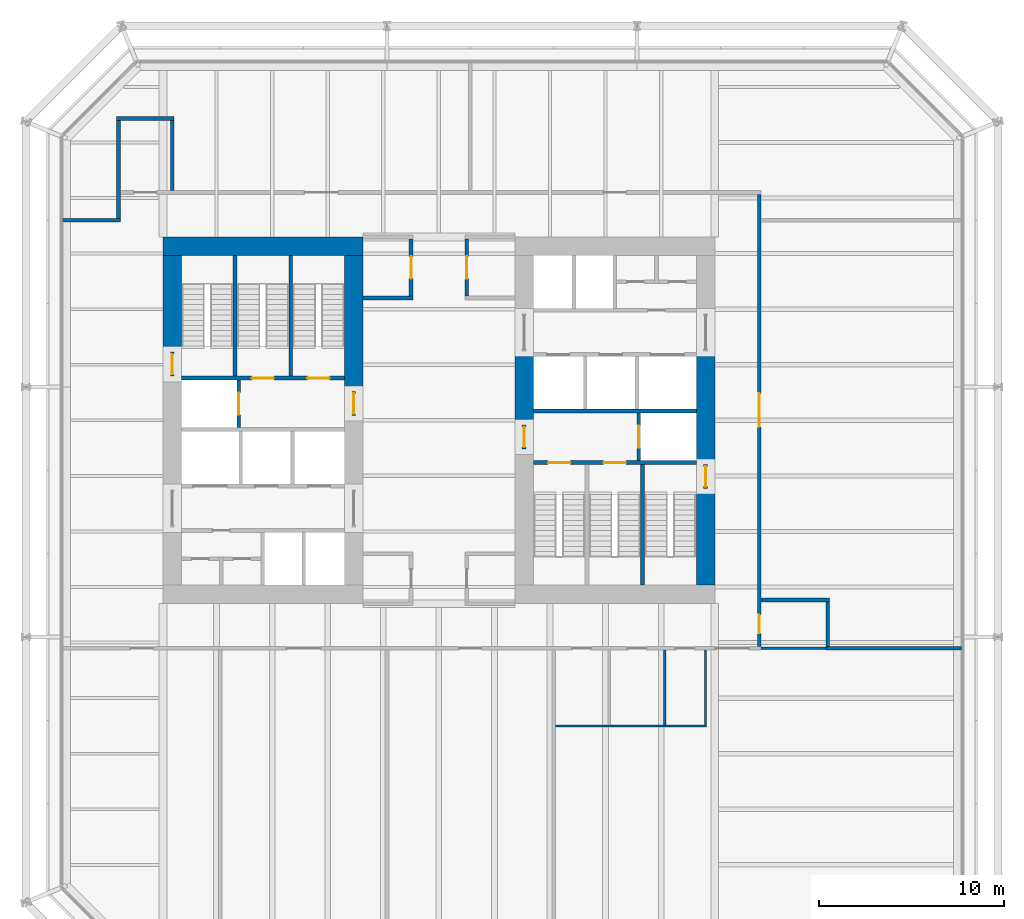
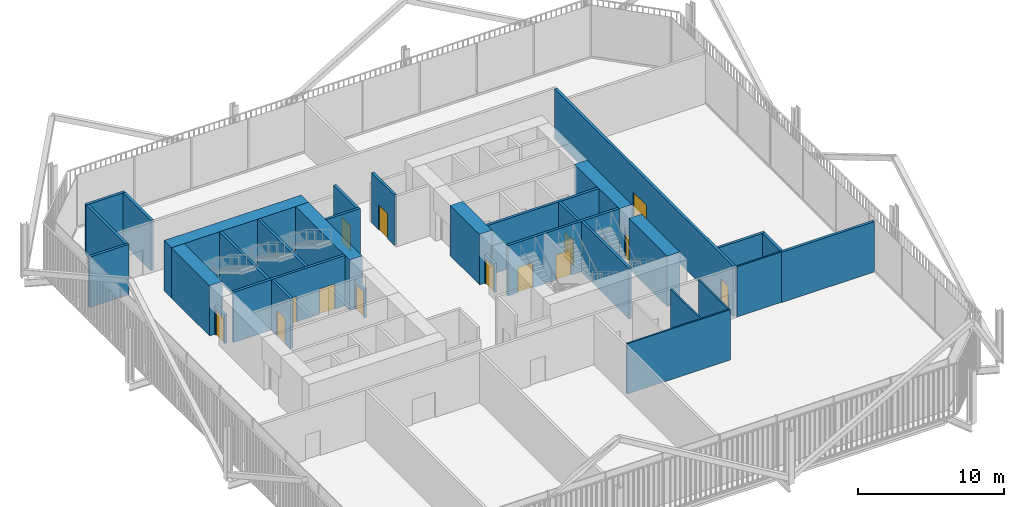
# One storey, part 18 of 21: 33 walls, 14 doors, 14 openings.
"""IFC4 building model written with IfcOpenShell, lengths in metres."""

import ifcopenshell
import ifcopenshell.guid

model = None  # the IFC model being written
_history = None  # IfcOwnerHistory: only IFC2X3 demands one
_inside = {}  # id of a spatial element -> (the spatial element, [elements in it])
_under = {}  # id of a project, library or spatial element -> (it, [spatial elements below it])
_declared = {}  # id of a project -> (the project, [libraries it declares])
_typed = {}  # id of a type object -> (the type object, [elements of that type])
_made_of = {}  # id of a material, layer set ... -> (it, [elements and type objects made of it])


def new_model(schema):
    """Start an empty IFC model of exactly this schema.

    Asked for "IFC4X3", IfcOpenShell would pick the latest addendum, in which some entities
    have other attributes; the version numbers below select the first issue.
    IFC2X3 requires an IfcOwnerHistory on every rooted entity: one is made here for all.
    """
    global model, _history
    if schema == "IFC4X3":
        model = ifcopenshell.file(schema_version=(4, 3, 0, 0))
    else:
        model = ifcopenshell.file(schema=schema)
    _inside.clear()
    _under.clear()
    _declared.clear()
    _typed.clear()
    _made_of.clear()
    _history = None
    if model.schema == "IFC2X3":
        org = make("IfcOrganization", Name="unknown")
        user = make(
            "IfcPersonAndOrganization",
            ThePerson=make("IfcPerson", FamilyName="unknown"),
            TheOrganization=org,
        )
        app = make(
            "IfcApplication",
            ApplicationDeveloper=org,
            Version="unknown",
            ApplicationFullName="unknown",
            ApplicationIdentifier="unknown",
        )
        _history = make(
            "IfcOwnerHistory",
            OwningUser=user,
            OwningApplication=app,
            ChangeAction="ADDED",
            CreationDate=0,
        )
    return model


def make(cls, **values):
    """One entity of the class cls with the attributes given. An attribute that is None is left unset."""
    return model.create_entity(
        cls, **{name: value for name, value in values.items() if value is not None}
    )


def rooted(cls, **values):
    """An entity with a GlobalId (a new one), such as an element, a storey or a relation."""
    return make(cls, GlobalId=ifcopenshell.guid.new(), OwnerHistory=_history, **values)


def si_unit(unit_type, name, prefix=None):
    """IfcSIUnit, for example si_unit("LENGTHUNIT", "METRE", prefix="MILLI")."""
    return make("IfcSIUnit", UnitType=unit_type, Prefix=prefix, Name=name)


def assignment(units):
    """IfcUnitAssignment: the units of a project."""
    return None if units is None else make("IfcUnitAssignment", Units=units)


def point(xyz):
    """IfcCartesianPoint."""
    return None if xyz is None else make("IfcCartesianPoint", Coordinates=xyz)


def direction(xyz):
    """IfcDirection."""
    return None if xyz is None else make("IfcDirection", DirectionRatios=xyz)


def frame(location, z_axis=None, x_axis=None):
    """IfcAxis2Placement3D, a coordinate frame: its origin and axes. An axis left out is left unset."""
    return make(
        "IfcAxis2Placement3D",
        Location=point(location),
        Axis=direction(z_axis),
        RefDirection=direction(x_axis),
    )


def frame_2d(location, x_axis=None):
    """IfcAxis2Placement2D, a coordinate frame in the plane: its origin and x axis."""
    return make(
        "IfcAxis2Placement2D", Location=point(location), RefDirection=direction(x_axis)
    )


def origin():
    """The frame at (0, 0, 0) with its axes left unset."""
    return frame((0.0, 0.0, 0.0))


def place(relative_to, where):
    """IfcLocalPlacement: puts the frame where relative to a parent placement (None: the world)."""
    return make(
        "IfcLocalPlacement", PlacementRelTo=relative_to, RelativePlacement=where
    )


def context(
    kind, dimensions, precision=None, world=None, true_north=None, identifier=None
):
    """IfcGeometricRepresentationContext, for example the 3D "Model" context."""
    return make(
        "IfcGeometricRepresentationContext",
        ContextIdentifier=identifier,
        ContextType=kind,
        CoordinateSpaceDimension=dimensions,
        Precision=precision,
        WorldCoordinateSystem=world,
        TrueNorth=true_north,
    )


def subcontext(parent, identifier, kind, view, scale=None):
    """IfcGeometricRepresentationSubContext, for example "Body" below "Model"."""
    return make(
        "IfcGeometricRepresentationSubContext",
        ContextIdentifier=identifier,
        ContextType=kind,
        ParentContext=parent,
        TargetScale=scale,
        TargetView=view,
    )


def project(units=None, contexts=None):
    """IfcProject with its units and contexts."""
    return rooted(
        "IfcProject",
        Name="project",
        RepresentationContexts=contexts,
        UnitsInContext=assignment(units),
    )


def spatial(cls, under=None, at=None, **own):
    """A site, building, storey or space (cls), placed at a placement, below another one or the project."""
    s = rooted(cls, ObjectPlacement=at, **own)
    if under is not None:
        _under.setdefault(under.id(), (under, []))[1].append(s)
    return s


def profile(cls, at=None, kind="AREA", **sizes):
    """A parametric profile (cls). Its sizes go by their IFC names, for example OverallWidth=200.0."""
    return make(cls, ProfileType=kind, Position=at, **sizes)


def rectangle(**sizes):
    """IfcRectangleProfileDef."""
    return profile("IfcRectangleProfileDef", **sizes)


def extrude(swept, where, along, depth):
    """IfcExtrudedAreaSolid: the profile swept, set in the frame where, extruded along a direction by depth."""
    return make(
        "IfcExtrudedAreaSolid",
        SweptArea=swept,
        Position=where,
        ExtrudedDirection=direction(along),
        Depth=depth,
    )


def shape(context_of_items, identifier, shape_type, items):
    """IfcShapeRepresentation: the items that make up one representation, for example the "Body"."""
    return make(
        "IfcShapeRepresentation",
        ContextOfItems=context_of_items,
        RepresentationIdentifier=identifier,
        RepresentationType=shape_type,
        Items=items,
    )


def material(Name=None, Category=None):
    """IfcMaterial."""
    return make("IfcMaterial", Name=Name, Category=Category)


def layer(
    of_material, thickness, ventilated=None, Name=None, Category=None, Priority=None
):
    """IfcMaterialLayer: one layer of a wall or slab, of a material (None: an air gap)."""
    return make(
        "IfcMaterialLayer",
        Material=of_material,
        LayerThickness=thickness,
        IsVentilated=ventilated,
        Name=Name,
        Category=Category,
        Priority=Priority,
    )


def layer_set(layers, Name=None):
    """IfcMaterialLayerSet."""
    return make("IfcMaterialLayerSet", MaterialLayers=layers, LayerSetName=Name)


def made_of(thing, what):
    """Note that an element or type object is made of a material, layer set ...; save() writes the relation."""
    if what is not None:
        _made_of.setdefault(what.id(), (what, []))[1].append(thing)
    return thing


def type_object(cls, material=None, **own):
    """A type object (cls), such as IfcWallType, which elements share."""
    return made_of(rooted(cls, **own), material)


def element(
    cls,
    number,
    at=None,
    inside=None,
    cuts=None,
    type_object=None,
    material=None,
    context=None,
    identifier="Body",
    shape_type=None,
    held_by="IfcProductDefinitionShape",
    body=None,
    shapes=None,
    **own,
):
    """One element of the class cls, such as IfcWall. Its Tag is "e" and its number.

    at: its placement. inside: the storey or other place that contains it. cuts: it is an
    opening in that element (IfcRelVoidsElement). A single representation is given by context,
    identifier, shape_type and body (its items); several are given by shapes. held_by: the class
    of the entity that holds the representations. save() writes the other relations.
    """
    e = rooted(cls, Tag="e%d" % number, ObjectPlacement=at, **own)
    if body is not None:
        shapes = [shape(context, identifier, shape_type, body)]
    if shapes is not None:
        e.Representation = make(held_by, Representations=shapes)
    if inside is not None:
        _inside.setdefault(inside.id(), (inside, []))[1].append(e)
    if cuts is not None:
        rooted(
            "IfcRelVoidsElement", RelatingBuildingElement=cuts, RelatedOpeningElement=e
        )
    if type_object is not None:
        _typed.setdefault(type_object.id(), (type_object, []))[1].append(e)
    return made_of(e, material)


def fill(opening, filler):
    """IfcRelFillsElement: the door or window that sits in an opening."""
    return rooted(
        "IfcRelFillsElement",
        RelatingOpeningElement=opening,
        RelatedBuildingElement=filler,
    )


def aggregate(whole, parts):
    """IfcRelAggregates: a whole, such as a stair, and the parts it consists of."""
    return rooted("IfcRelAggregates", RelatingObject=whole, RelatedObjects=parts)


def save(model, path):
    """Write the relations noted so far, then the file.

    IfcRelAggregates (storeys below a building ...), IfcRelContainedInSpatialStructure (elements
    in a storey), IfcRelDefinesByType, IfcRelAssociatesMaterial and IfcRelDeclares: one each for
    every whole, place, type object, material and project.
    """
    for whole, parts in _under.values():
        aggregate(whole, parts)
    for where, things in _inside.values():
        rooted(
            "IfcRelContainedInSpatialStructure",
            RelatedElements=things,
            RelatingStructure=where,
        )
    for kind, things in _typed.values():
        rooted("IfcRelDefinesByType", RelatedObjects=things, RelatingType=kind)
    for what, things in _made_of.values():
        rooted("IfcRelAssociatesMaterial", RelatedObjects=things, RelatingMaterial=what)
    for by, libraries in _declared.values():
        rooted("IfcRelDeclares", RelatingContext=by, RelatedDefinitions=libraries)
    model.write(path)


model = new_model("IFC4")

# Units and contexts
model_context = context("Model", 3, precision=1e-05, world=origin(), true_north=direction((0.0, 1.0)))
body_context = subcontext(model_context, "Body", "Model", "MODEL_VIEW")
ifc_project = project(units=[si_unit("LENGTHUNIT", "METRE"), si_unit("AREAUNIT", "SQUARE_METRE"), si_unit("VOLUMEUNIT", "CUBIC_METRE"), si_unit("PLANEANGLEUNIT", "RADIAN"), si_unit("MASSUNIT", "GRAM", prefix="KILO")], contexts=[model_context])

# Site, building, storey
site_placement = place(None, origin())
site = spatial("IfcSite", under=ifc_project, at=site_placement, CompositionType="ELEMENT")
building_placement = place(site_placement, origin())
building = spatial("IfcBuilding", under=site, at=building_placement, Name="Millrace Tower", CompositionType="ELEMENT")
storey_placement = place(building_placement, frame((0.0, 0.0, 104.0)))
storey = spatial("IfcBuildingStorey", under=building, at=storey_placement, Name="L23", CompositionType="ELEMENT", Elevation=104.0)

# Walls
ifc_material_1 = material(Name="Concrete C80", Category="concrete")
ifc_layer_1 = layer(ifc_material_1, 1.0)
ifc_layer_set_1 = layer_set([ifc_layer_1], Name="Concrete C80")
wall_type_1 = type_object("IfcWallType", Name="Core wall 1000 Concrete C80", PredefinedType="SHEAR", material=ifc_layer_set_1)
wall_1_placement = place(storey_placement, frame((-14.89990234375, 9.39990234375, 0.0), z_axis=(0.0, 0.0, 1.0), x_axis=(1.0, 0.0, 0.0)))
element("IfcWall", 1, at=wall_1_placement, inside=storey, type_object=wall_type_1, Name="Core wall W L23", PredefinedType="SHEAR", context=body_context, shape_type="SweptSolid", body=[
    extrude(rectangle(XDim=10.7998046875, YDim=1.0, at=frame_2d((5.39990234375, 0.0))), origin(), (0.0, 0.0, 1.0), 4.199951171875),
])
wall_2_placement = place(storey_placement, frame((-14.39990234375, 3.679931640625, 0.0), z_axis=(0.0, 0.0, 1.0), x_axis=(0.0, 1.0, 0.0)))
element("IfcWall", 2, at=wall_2_placement, inside=storey, type_object=wall_type_1, Name="Core wall W L23", PredefinedType="SHEAR", context=body_context, shape_type="SweptSolid", body=[
    extrude(rectangle(XDim=5.219970703125, YDim=1.0, at=frame_2d((2.60986328125, 0.0))), origin(), (0.0, 0.0, 1.0), 4.199951171875),
])
wall_3_placement = place(storey_placement, frame((-4.60009765625, 1.550048828125, 0.0), z_axis=(0.0, 0.0, 1.0), x_axis=(0.0, 1.0, 0.0)))
element("IfcWall", 3, at=wall_3_placement, inside=storey, type_object=wall_type_1, Name="Core wall W L23", PredefinedType="SHEAR", context=body_context, shape_type="SweptSolid", body=[
    extrude(rectangle(XDim=7.349853515625, YDim=1.0, at=frame_2d((3.6748046875, 0.0))), origin(), (0.0, 0.0, 1.0), 4.199951171875),
])
wall_4_placement = place(storey_placement, frame((14.39990234375, 3.75, 0.0), z_axis=(0.0, 0.0, 1.0), x_axis=(0.0, -1.0, 0.0)))
element("IfcWall", 4, at=wall_4_placement, inside=storey, type_object=wall_type_1, Name="Core wall E L23", PredefinedType="SHEAR", context=body_context, shape_type="SweptSolid", body=[
    extrude(rectangle(XDim=6.1298828125, YDim=1.0, at=frame_2d((3.06494140625, 0.0))), origin(), (0.0, 0.0, 1.0), 4.199951171875),
])
wall_5_placement = place(storey_placement, frame((14.39990234375, -3.679931640625, 0.0), z_axis=(0.0, 0.0, 1.0), x_axis=(0.0, -1.0, 0.0)))
element("IfcWall", 5, at=wall_5_placement, inside=storey, type_object=wall_type_1, Name="Core wall E L23", PredefinedType="SHEAR", context=body_context, shape_type="SweptSolid", body=[
    extrude(rectangle(XDim=5.219970703125, YDim=1.0, at=frame_2d((2.60986328125, 0.0))), origin(), (0.0, 0.0, 1.0), 4.199951171875),
])
wall_6_placement = place(storey_placement, frame((4.60009765625, 3.75, 0.0), z_axis=(0.0, 0.0, 1.0), x_axis=(0.0, -1.0, 0.0)))
element("IfcWall", 6, at=wall_6_placement, inside=storey, type_object=wall_type_1, Name="Core wall E L23", PredefinedType="SHEAR", context=body_context, shape_type="SweptSolid", body=[
    extrude(rectangle(XDim=4.0, YDim=1.0, at=frame_2d((2.0, 0.0))), origin(), (0.0, 0.0, 1.0), 4.199951171875),
])
ifc_material_2 = material(Name="Masonry partition, fire-rated", Category="masonry")
ifc_layer_2 = layer(ifc_material_2, 0.199951171875)
ifc_layer_set_2 = layer_set([ifc_layer_2], Name="Masonry partition, fire-rated")
wall_type_2 = type_object("IfcWallType", Name="Corridor wall 200", PredefinedType="PARTITIONING", material=ifc_layer_set_2)
wall_7_placement = place(storey_placement, frame((20.89990234375, -12.300048828125, 0.0), z_axis=(0.0, 0.0, 1.0), x_axis=(1.0, 0.0, 0.0)))
element("IfcWall", 7, at=wall_7_placement, inside=storey, type_object=wall_type_2, Name="Corridor wall L23", PredefinedType="PARTITIONING", context=body_context, shape_type="SweptSolid", body=[
    extrude(rectangle(XDim=7.330078125, YDim=0.199951171875, at=frame_2d((3.6650390625, 0.0))), origin(), (0.0, 0.0, 1.0), 4.199951171875),
])
wall_8_placement = place(storey_placement, frame((17.39990234375, -9.699951171875, 0.0), z_axis=(0.0, 0.0, 1.0), x_axis=(1.0, 0.0, 0.0)))
element("IfcWall", 8, at=wall_8_placement, inside=storey, type_object=wall_type_2, Name="Corridor wall L23", PredefinedType="PARTITIONING", context=body_context, shape_type="SweptSolid", body=[
    extrude(rectangle(XDim=3.7001953125, YDim=0.199951171875, at=frame_2d((1.85009765625, 0.0))), origin(), (0.0, 0.0, 1.0), 4.199951171875),
])
wall_9_placement = place(storey_placement, frame((-4.10009765625, 6.60009765625, 0.0), z_axis=(0.0, 0.0, 1.0), x_axis=(1.0, 0.0, 0.0)))
element("IfcWall", 9, at=wall_9_placement, inside=storey, type_object=wall_type_2, Name="Corridor wall L23", PredefinedType="PARTITIONING", context=body_context, shape_type="SweptSolid", body=[
    extrude(rectangle(XDim=2.7001953125, YDim=0.199951171875, at=frame_2d((1.35009765625, 0.0))), origin(), (0.0, 0.0, 1.0), 4.199951171875),
])
wall_10_placement = place(storey_placement, frame((-20.330078125, 10.800048828125, 0.0), z_axis=(0.0, 0.0, 1.0), x_axis=(1.0, 0.0, 0.0)))
element("IfcWall", 10, at=wall_10_placement, inside=storey, type_object=wall_type_2, Name="Corridor wall L23", PredefinedType="PARTITIONING", context=body_context, shape_type="SweptSolid", body=[
    extrude(rectangle(XDim=3.130126953125, YDim=0.199951171875, at=frame_2d((1.56494140625, 0.0))), origin(), (0.0, 0.0, 1.0), 4.199951171875),
])
wall_11_placement = place(storey_placement, frame((-17.39990234375, 16.300048828125, 0.0), z_axis=(0.0, 0.0, 1.0), x_axis=(1.0, 0.0, 0.0)))
element("IfcWall", 11, at=wall_11_placement, inside=storey, type_object=wall_type_2, Name="Corridor wall L23", PredefinedType="PARTITIONING", context=body_context, shape_type="SweptSolid", body=[
    extrude(rectangle(XDim=3.099853515625, YDim=0.199951171875, at=frame_2d((1.5498046875, 0.0))), origin(), (0.0, 0.0, 1.0), 4.199951171875),
])
wall_12_placement = place(storey_placement, frame((21.0, -12.199951171875, 0.0), z_axis=(0.0, 0.0, 1.0), x_axis=(0.0, 1.0, 0.0)))
element("IfcWall", 12, at=wall_12_placement, inside=storey, type_object=wall_type_2, Name="Corridor wall L23", PredefinedType="PARTITIONING", context=body_context, shape_type="SweptSolid", body=[
    extrude(rectangle(XDim=2.39990234375, YDim=0.199951171875, at=frame_2d((1.199951171875, 0.0))), origin(), (0.0, 0.0, 1.0), 4.199951171875),
])

# Wall, openings, doors
wall_13_placement = place(storey_placement, frame((17.300048828125, -12.199951171875, 0.0), z_axis=(0.0, 0.0, 1.0), x_axis=(0.0, 1.0, 0.0)))
wall_13 = element("IfcWall", 13, at=wall_13_placement, inside=storey, type_object=wall_type_2, Name="Corridor wall L23", PredefinedType="PARTITIONING", context=body_context, shape_type="SweptSolid", body=[
    extrude(rectangle(XDim=24.39990234375, YDim=0.199951171875, at=frame_2d((12.199951171875, 0.0))), origin(), (0.0, 0.0, 1.0), 4.199951171875),
])
opening_1_placement = place(wall_13_placement, frame((11.85009765625, 0.0, 0.0)))
opening_1 = element("IfcOpeningElement", 14, at=opening_1_placement, cuts=wall_13, Name="Opening 23-P015", PredefinedType="OPENING", context=body_context, shape_type="SweptSolid", body=[
    extrude(rectangle(XDim=1.800048828125, YDim=2.10009765625, at=frame_2d((0.89990234375, 1.050048828125))), frame((0.0, 0.10986328125, 0.0), z_axis=(0.0, -1.0, 0.0), x_axis=(1.0, 0.0, 0.0)), (0.0, 0.0, 1.0), 0.219970703125),
])
opening_2_placement = place(wall_13_placement, frame((0.699951171875, 0.0, 0.0)))
opening_2 = element("IfcOpeningElement", 15, at=opening_2_placement, cuts=wall_13, Name="Opening 23-P016", PredefinedType="OPENING", context=body_context, shape_type="SweptSolid", body=[
    extrude(rectangle(XDim=1.0, YDim=2.10009765625, at=frame_2d((0.5, 1.050048828125))), frame((0.0, 0.10986328125, 0.0), z_axis=(0.0, -1.0, 0.0), x_axis=(1.0, 0.0, 0.0)), (0.0, 0.0, 1.0), 0.219970703125),
])
ifc_material_3 = material(Name="Steel door set, fire-rated", Category="steel")
door_type_1 = type_object("IfcDoorType", Name="Corridor door 1000 x 2100", OperationType="SINGLE_SWING_LEFT", PredefinedType="DOOR", material=ifc_material_3)
door_1_placement = place(opening_2_placement, frame((1.0, 0.0, 0.0), z_axis=(0.0, 0.0, 1.0), x_axis=(-1.0, 0.0, 0.0)))
door_1 = element("IfcDoor", 16, at=door_1_placement, inside=storey, type_object=door_type_1, Name="Door 23-P016", OperationType="SINGLE_SWING_RIGHT", OverallHeight=2.10009765625, OverallWidth=1.0, PredefinedType="DOOR", context=body_context, shape_type="SweptSolid", body=[
    extrude(rectangle(XDim=1.0, YDim=2.10009765625, at=frame_2d((0.5, 1.050048828125))), frame((0.0, 0.02490234375, 0.0), z_axis=(0.0, -1.0, 0.0), x_axis=(1.0, 0.0, 0.0)), (0.0, 0.0, 1.0), 0.050048828125),
])
fill(opening_2, door_1)
ifc_material_4 = material(Name="Steel door set, fire-rated", Category="steel")
door_type_2 = type_object("IfcDoorType", Name="Data hall door 1800 x 2100", OperationType="DOUBLE_DOOR_SINGLE_SWING", PredefinedType="DOOR", material=ifc_material_4)
door_2_placement = place(opening_1_placement, frame((1.800048828125, 0.0, 0.0), z_axis=(0.0, 0.0, 1.0), x_axis=(-1.0, 0.0, 0.0)))
door_2 = element("IfcDoor", 17, at=door_2_placement, inside=storey, type_object=door_type_2, Name="Door 23-P015", OperationType="DOUBLE_DOOR_SINGLE_SWING", OverallHeight=2.10009765625, OverallWidth=1.800048828125, PredefinedType="DOOR", context=body_context, shape_type="SweptSolid", body=[
    extrude(rectangle(XDim=1.800048828125, YDim=2.10009765625, at=frame_2d((0.89990234375, 1.050048828125))), frame((0.0, 0.02490234375, 0.0), z_axis=(0.0, -1.0, 0.0), x_axis=(1.0, 0.0, 0.0)), (0.0, 0.0, 1.0), 0.050048828125),
])
fill(opening_1, door_2)

# Wall, opening, door
wall_14_placement = place(storey_placement, frame((1.5, 6.699951171875, 0.0), z_axis=(0.0, 0.0, 1.0), x_axis=(0.0, 1.0, 0.0)))
wall_14 = element("IfcWall", 18, at=wall_14_placement, inside=storey, type_object=wall_type_2, Name="Corridor wall L23", PredefinedType="PARTITIONING", context=body_context, shape_type="SweptSolid", body=[
    extrude(rectangle(XDim=3.10009765625, YDim=0.199951171875, at=frame_2d((1.550048828125, 0.0))), origin(), (0.0, 0.0, 1.0), 4.199951171875),
])
opening_3_placement = place(wall_14_placement, frame((0.949951171875, 0.0, 0.0)))
opening_3 = element("IfcOpeningElement", 19, at=opening_3_placement, cuts=wall_14, Name="Opening 23-P002", PredefinedType="OPENING", context=body_context, shape_type="SweptSolid", body=[
    extrude(rectangle(XDim=1.199951171875, YDim=2.10009765625, at=frame_2d((0.60009765625, 1.050048828125))), frame((0.0, 0.10986328125, 0.0), z_axis=(0.0, -1.0, 0.0), x_axis=(1.0, 0.0, 0.0)), (0.0, 0.0, 1.0), 0.219970703125),
])
ifc_material_5 = material(Name="Steel door set, fire-rated", Category="steel")
door_type_3 = type_object("IfcDoorType", Name="Corridor door 1200 x 2100", OperationType="SINGLE_SWING_LEFT", PredefinedType="DOOR", material=ifc_material_5)
door_3_placement = place(opening_3_placement, frame((1.199951171875, 0.0, 0.0), z_axis=(0.0, 0.0, 1.0), x_axis=(-1.0, 0.0, 0.0)))
door_3 = element("IfcDoor", 20, at=door_3_placement, inside=storey, type_object=door_type_3, Name="Door 23-P002", OperationType="SINGLE_SWING_RIGHT", OverallHeight=2.10009765625, OverallWidth=1.199951171875, PredefinedType="DOOR", context=body_context, shape_type="SweptSolid", body=[
    extrude(rectangle(XDim=1.199951171875, YDim=2.10009765625, at=frame_2d((0.60009765625, 1.050048828125))), frame((0.0, 0.02490234375, 0.0), z_axis=(0.0, -1.0, 0.0), x_axis=(1.0, 0.0, 0.0)), (0.0, 0.0, 1.0), 0.050048828125),
])
fill(opening_3, door_3)

wall_15_placement = place(storey_placement, frame((-1.5, 6.699951171875, 0.0), z_axis=(0.0, 0.0, 1.0), x_axis=(0.0, 1.0, 0.0)))
wall_15 = element("IfcWall", 21, at=wall_15_placement, inside=storey, type_object=wall_type_2, Name="Corridor wall L23", PredefinedType="PARTITIONING", context=body_context, shape_type="SweptSolid", body=[
    extrude(rectangle(XDim=3.10009765625, YDim=0.199951171875, at=frame_2d((1.550048828125, 0.0))), origin(), (0.0, 0.0, 1.0), 4.199951171875),
])
opening_4_placement = place(wall_15_placement, frame((0.949951171875, 0.0, 0.0)))
opening_4 = element("IfcOpeningElement", 22, at=opening_4_placement, cuts=wall_15, Name="Opening 23-P001", PredefinedType="OPENING", context=body_context, shape_type="SweptSolid", body=[
    extrude(rectangle(XDim=1.199951171875, YDim=2.10009765625, at=frame_2d((0.60009765625, 1.050048828125))), frame((0.0, 0.10986328125, 0.0), z_axis=(0.0, -1.0, 0.0), x_axis=(1.0, 0.0, 0.0)), (0.0, 0.0, 1.0), 0.219970703125),
])
door_4_placement = place(opening_4_placement, origin())
door_4 = element("IfcDoor", 23, at=door_4_placement, inside=storey, type_object=door_type_3, Name="Door 23-P001", OperationType="SINGLE_SWING_LEFT", OverallHeight=2.10009765625, OverallWidth=1.199951171875, PredefinedType="DOOR", context=body_context, shape_type="SweptSolid", body=[
    extrude(rectangle(XDim=1.199951171875, YDim=2.10009765625, at=frame_2d((0.60009765625, 1.050048828125))), frame((0.0, 0.02490234375, 0.0), z_axis=(0.0, -1.0, 0.0), x_axis=(1.0, 0.0, 0.0)), (0.0, 0.0, 1.0), 0.050048828125),
])
fill(opening_4, door_4)

# Walls
wall_16_placement = place(storey_placement, frame((-14.39990234375, 12.39990234375, 0.0), z_axis=(0.0, 0.0, 1.0), x_axis=(0.0, 1.0, 0.0)))
element("IfcWall", 24, at=wall_16_placement, inside=storey, type_object=wall_type_2, Name="Corridor wall L23", PredefinedType="PARTITIONING", context=body_context, shape_type="SweptSolid", body=[
    extrude(rectangle(XDim=3.800048828125, YDim=0.199951171875, at=frame_2d((1.89990234375, 0.0))), origin(), (0.0, 0.0, 1.0), 4.199951171875),
])
wall_17_placement = place(storey_placement, frame((-17.300048828125, 10.89990234375, 0.0), z_axis=(0.0, 0.0, 1.0), x_axis=(0.0, 1.0, 0.0)))
element("IfcWall", 25, at=wall_17_placement, inside=storey, type_object=wall_type_2, Name="Corridor wall L23", PredefinedType="PARTITIONING", context=body_context, shape_type="SweptSolid", body=[
    extrude(rectangle(XDim=5.300048828125, YDim=0.199951171875, at=frame_2d((2.64990234375, 0.0))), origin(), (0.0, 0.0, 1.0), 4.199951171875),
])

# Wall, opening, door
ifc_material_6 = material(Name="Masonry partition, fire-rated", Category="masonry")
ifc_layer_3 = layer(ifc_material_6, 0.199951171875)
ifc_layer_set_3 = layer_set([ifc_layer_3], Name="Masonry partition, fire-rated")
wall_type_3 = type_object("IfcWallType", Name="Lift shaft wall 200", PredefinedType="PARTITIONING", material=ifc_layer_set_3)
wall_18_placement = place(storey_placement, frame((-10.800048828125, -0.39990234375, 0.0), z_axis=(0.0, 0.0, 1.0), x_axis=(0.0, 1.0, 0.0)))
wall_18 = element("IfcWall", 26, at=wall_18_placement, inside=storey, type_object=wall_type_3, Name="Lift shaft wall W L23", PredefinedType="PARTITIONING", context=body_context, shape_type="SweptSolid", body=[
    extrude(rectangle(XDim=2.579833984375, YDim=0.199951171875, at=frame_2d((1.2900390625, 0.0))), origin(), (0.0, 0.0, 1.0), 4.199951171875),
])
opening_5_placement = place(wall_18_placement, frame((0.68994140625, 0.0, 0.0)))
opening_5 = element("IfcOpeningElement", 27, at=opening_5_placement, cuts=wall_18, Name="Opening 23-LD08", PredefinedType="OPENING", context=body_context, shape_type="SweptSolid", body=[
    extrude(rectangle(XDim=1.199951171875, YDim=2.10009765625, at=frame_2d((0.60009765625, 1.050048828125))), frame((0.0, 0.10986328125, 0.0), z_axis=(0.0, -1.0, 0.0), x_axis=(1.0, 0.0, 0.0)), (0.0, 0.0, 1.0), 0.219970703125),
])
ifc_material_7 = material(Name="Stainless steel, fire-rated", Category="steel")
door_type_4 = type_object("IfcDoorType", Name="Lift landing door 1200 x 2100", OperationType="DOUBLE_DOOR_SLIDING", PredefinedType="DOOR", material=ifc_material_7)
door_5_placement = place(opening_5_placement, origin())
door_5 = element("IfcDoor", 28, at=door_5_placement, inside=storey, type_object=door_type_4, Name="Lift landing door LF8 L23", OperationType="DOUBLE_DOOR_SLIDING", OverallHeight=2.10009765625, OverallWidth=1.199951171875, PredefinedType="DOOR", context=body_context, shape_type="SweptSolid", body=[
    extrude(rectangle(XDim=1.199951171875, YDim=2.10009765625, at=frame_2d((0.60009765625, 1.050048828125))), frame((0.0, 0.02490234375, 0.0), z_axis=(0.0, -1.0, 0.0), x_axis=(1.0, 0.0, 0.0)), (0.0, 0.0, 1.0), 0.050048828125),
])
fill(opening_5, door_5)

# Wall
wall_19_placement = place(storey_placement, frame((13.89990234375, 0.5, 0.0), z_axis=(0.0, 0.0, 1.0), x_axis=(-1.0, 0.0, 0.0)))
element("IfcWall", 29, at=wall_19_placement, inside=storey, type_object=wall_type_3, Name="Lift shaft wall E L23", PredefinedType="PARTITIONING", context=body_context, shape_type="SweptSolid", body=[
    extrude(rectangle(XDim=8.7998046875, YDim=0.199951171875, at=frame_2d((4.39990234375, 0.0))), origin(), (0.0, 0.0, 1.0), 4.199951171875),
])

# Wall, opening, door
wall_20_placement = place(storey_placement, frame((10.800048828125, 0.39990234375, 0.0), z_axis=(0.0, 0.0, 1.0), x_axis=(0.0, -1.0, 0.0)))
wall_20 = element("IfcWall", 30, at=wall_20_placement, inside=storey, type_object=wall_type_3, Name="Lift shaft wall E L23", PredefinedType="PARTITIONING", context=body_context, shape_type="SweptSolid", body=[
    extrude(rectangle(XDim=2.579833984375, YDim=0.199951171875, at=frame_2d((1.2900390625, 0.0))), origin(), (0.0, 0.0, 1.0), 4.199951171875),
])
opening_6_placement = place(wall_20_placement, frame((0.68994140625, 0.0, 0.0)))
opening_6 = element("IfcOpeningElement", 31, at=opening_6_placement, cuts=wall_20, Name="Opening 23-LD16", PredefinedType="OPENING", context=body_context, shape_type="SweptSolid", body=[
    extrude(rectangle(XDim=1.199951171875, YDim=2.10009765625, at=frame_2d((0.60009765625, 1.050048828125))), frame((0.0, 0.10986328125, 0.0), z_axis=(0.0, -1.0, 0.0), x_axis=(1.0, 0.0, 0.0)), (0.0, 0.0, 1.0), 0.219970703125),
])
door_6_placement = place(opening_6_placement, origin())
door_6 = element("IfcDoor", 32, at=door_6_placement, inside=storey, type_object=door_type_4, Name="Lift landing door LF16 L23", OperationType="DOUBLE_DOOR_SLIDING", OverallHeight=2.10009765625, OverallWidth=1.199951171875, PredefinedType="DOOR", context=body_context, shape_type="SweptSolid", body=[
    extrude(rectangle(XDim=1.199951171875, YDim=2.10009765625, at=frame_2d((0.60009765625, 1.050048828125))), frame((0.0, 0.02490234375, 0.0), z_axis=(0.0, -1.0, 0.0), x_axis=(1.0, 0.0, 0.0)), (0.0, 0.0, 1.0), 0.050048828125),
])
fill(opening_6, door_6)

ifc_material_8 = material(Name="Masonry partition, fire-rated", Category="masonry")
ifc_layer_4 = layer(ifc_material_8, 0.199951171875)
ifc_layer_set_4 = layer_set([ifc_layer_4], Name="Masonry partition, fire-rated")
wall_type_4 = type_object("IfcWallType", Name="Lobby wall 200", PredefinedType="PARTITIONING", material=ifc_layer_set_4)
wall_21_placement = place(storey_placement, frame((-4.60009765625, 0.25, 0.0), z_axis=(0.0, 0.0, 1.0), x_axis=(0.0, 1.0, 0.0)))
wall_21 = element("IfcWall", 33, at=wall_21_placement, inside=storey, type_object=wall_type_4, Name="Lobby wall W L23", PredefinedType="PARTITIONING", context=body_context, shape_type="SweptSolid", body=[
    extrude(rectangle(XDim=1.300048828125, YDim=0.199951171875, at=frame_2d((0.64990234375, 0.0))), origin(), (0.0, 0.0, 1.0), 2.39990234375),
])
opening_7_placement = place(wall_21_placement, frame((0.10009765625, 0.0, 0.0)))
opening_7 = element("IfcOpeningElement", 34, at=opening_7_placement, cuts=wall_21, Name="Opening 23-C004", PredefinedType="OPENING", context=body_context, shape_type="SweptSolid", body=[
    extrude(rectangle(XDim=1.10009765625, YDim=2.10009765625, at=frame_2d((0.550048828125, 1.050048828125))), frame((0.0, 0.10986328125, 0.0), z_axis=(0.0, -1.0, 0.0), x_axis=(1.0, 0.0, 0.0)), (0.0, 0.0, 1.0), 0.219970703125),
])
ifc_material_9 = material(Name="Steel door, fire-rated", Category="steel")
door_type_5 = type_object("IfcDoorType", Name="Lobby door 1100 x 2100", OperationType="SINGLE_SWING_LEFT", PredefinedType="DOOR", material=ifc_material_9)
door_7_placement = place(opening_7_placement, origin())
door_7 = element("IfcDoor", 35, at=door_7_placement, inside=storey, type_object=door_type_5, Name="Lobby door 23-C004", OperationType="SINGLE_SWING_RIGHT", OverallHeight=2.10009765625, OverallWidth=1.10009765625, PredefinedType="DOOR", context=body_context, shape_type="SweptSolid", body=[
    extrude(rectangle(XDim=1.10009765625, YDim=2.10009765625, at=frame_2d((0.550048828125, 1.050048828125))), frame((0.0, 0.02490234375, 0.0), z_axis=(0.0, -1.0, 0.0), x_axis=(1.0, 0.0, 0.0)), (0.0, 0.0, 1.0), 0.050048828125),
])
fill(opening_7, door_7)

wall_22_placement = place(storey_placement, frame((4.60009765625, -0.25, 0.0), z_axis=(0.0, 0.0, 1.0), x_axis=(0.0, -1.0, 0.0)))
wall_22 = element("IfcWall", 36, at=wall_22_placement, inside=storey, type_object=wall_type_4, Name="Lobby wall E L23", PredefinedType="PARTITIONING", context=body_context, shape_type="SweptSolid", body=[
    extrude(rectangle(XDim=1.300048828125, YDim=0.199951171875, at=frame_2d((0.64990234375, 0.0))), origin(), (0.0, 0.0, 1.0), 2.39990234375),
])
opening_8_placement = place(wall_22_placement, frame((0.10009765625, 0.0, 0.0)))
opening_8 = element("IfcOpeningElement", 37, at=opening_8_placement, cuts=wall_22, Name="Opening 23-C013", PredefinedType="OPENING", context=body_context, shape_type="SweptSolid", body=[
    extrude(rectangle(XDim=1.10009765625, YDim=2.10009765625, at=frame_2d((0.550048828125, 1.050048828125))), frame((0.0, 0.10986328125, 0.0), z_axis=(0.0, -1.0, 0.0), x_axis=(1.0, 0.0, 0.0)), (0.0, 0.0, 1.0), 0.219970703125),
])
door_8_placement = place(opening_8_placement, origin())
door_8 = element("IfcDoor", 38, at=door_8_placement, inside=storey, type_object=door_type_5, Name="Lobby door 23-C013", OperationType="SINGLE_SWING_LEFT", OverallHeight=2.10009765625, OverallWidth=1.10009765625, PredefinedType="DOOR", context=body_context, shape_type="SweptSolid", body=[
    extrude(rectangle(XDim=1.10009765625, YDim=2.10009765625, at=frame_2d((0.550048828125, 1.050048828125))), frame((0.0, 0.02490234375, 0.0), z_axis=(0.0, -1.0, 0.0), x_axis=(1.0, 0.0, 0.0)), (0.0, 0.0, 1.0), 0.050048828125),
])
fill(opening_8, door_8)

# Walls
ifc_material_10 = material(Name="Gypsum board partition")
ifc_layer_5 = layer(ifc_material_10, 0.1201171875)
ifc_layer_set_5 = layer_set([ifc_layer_5], Name="Gypsum board partition")
wall_type_5 = type_object("IfcWallType", Name="Partition wall 120", PredefinedType="PARTITIONING", material=ifc_layer_set_5)
wall_23_placement = place(storey_placement, frame((6.300048828125, -16.5, 0.0), z_axis=(0.0, 0.0, 1.0), x_axis=(1.0, 0.0, 0.0)))
element("IfcWall", 39, at=wall_23_placement, inside=storey, type_object=wall_type_5, Name="Partition wall L23", PredefinedType="PARTITIONING", context=body_context, shape_type="SweptSolid", body=[
    extrude(rectangle(XDim=8.159912109375, YDim=0.1201171875, at=frame_2d((4.080078125, 0.0))), origin(), (0.0, 0.0, 1.0), 4.199951171875),
])
wall_24_placement = place(storey_placement, frame((17.39990234375, -12.300048828125, 0.0), z_axis=(0.0, 0.0, 1.0), x_axis=(1.0, 0.0, 0.0)))
element("IfcWall", 40, at=wall_24_placement, inside=storey, type_object=wall_type_5, Name="Partition wall L23", PredefinedType="PARTITIONING", context=body_context, shape_type="SweptSolid", body=[
    extrude(rectangle(XDim=3.5, YDim=0.1201171875, at=frame_2d((1.75, 0.0))), origin(), (0.0, 0.0, 1.0), 4.199951171875),
])
for number, where, z_axis, x_axis, name in (
    (41, (14.39990234375, -16.43994140625, 0.0), (0.0, 0.0, 1.0), (0.0, 1.0, 0.0), "Partition wall L23"),
    (42, (12.199951171875, -16.43994140625, 0.0), (0.0, 0.0, 1.0), (0.0, 1.0, 0.0), "Partition wall L23"),
):
    element("IfcWall", number, at=place(storey_placement, frame(where, z_axis=z_axis, x_axis=x_axis)), inside=storey, type_object=wall_type_5, Name=name, PredefinedType="PARTITIONING", context=body_context, shape_type="SweptSolid", body=[
        extrude(rectangle(XDim=4.0400390625, YDim=0.1201171875, at=frame_2d((2.02001953125, 0.0))), origin(), (0.0, 0.0, 1.0), 4.199951171875),
    ])

# Wall, opening, door
ifc_material_11 = material(Name="Concrete C40", Category="concrete")
ifc_layer_6 = layer(ifc_material_11, 0.199951171875)
ifc_layer_set_6 = layer_set([ifc_layer_6], Name="Concrete C40")
wall_type_6 = type_object("IfcWallType", Name="Stair enclosure wall 200 Concrete C40", PredefinedType="SHEAR", material=ifc_layer_set_6)
wall_25_placement = place(storey_placement, frame((-14.39990234375, 2.3798828125, 0.0), z_axis=(0.0, 0.0, 1.0), x_axis=(0.0, 1.0, 0.0)))
wall_25 = element("IfcWall", 43, at=wall_25_placement, inside=storey, type_object=wall_type_6, Name="Stair enclosure wall W L23", PredefinedType="SHEAR", context=body_context, shape_type="SweptSolid", body=[
    extrude(rectangle(XDim=1.300048828125, YDim=0.199951171875, at=frame_2d((0.64990234375, 0.0))), origin(), (0.0, 0.0, 1.0), 2.39990234375),
])
opening_9_placement = place(wall_25_placement, frame((0.10009765625, 0.0, 0.0)))
opening_9 = element("IfcOpeningElement", 44, at=opening_9_placement, cuts=wall_25, Name="Opening 23-C002", PredefinedType="OPENING", context=body_context, shape_type="SweptSolid", body=[
    extrude(rectangle(XDim=1.10009765625, YDim=2.10009765625, at=frame_2d((0.550048828125, 1.050048828125))), frame((0.0, 0.10986328125, 0.0), z_axis=(0.0, -1.0, 0.0), x_axis=(1.0, 0.0, 0.0)), (0.0, 0.0, 1.0), 0.219970703125),
])
ifc_material_12 = material(Name="Steel door, fire-rated", Category="steel")
door_type_6 = type_object("IfcDoorType", Name="Stair door 1100 x 2100", OperationType="SINGLE_SWING_LEFT", PredefinedType="DOOR", material=ifc_material_12)
door_9_placement = place(opening_9_placement, origin())
door_9 = element("IfcDoor", 45, at=door_9_placement, inside=storey, type_object=door_type_6, Name="Stair door 23-C002", OperationType="SINGLE_SWING_LEFT", OverallHeight=2.10009765625, OverallWidth=1.10009765625, PredefinedType="DOOR", context=body_context, shape_type="SweptSolid", body=[
    extrude(rectangle(XDim=1.10009765625, YDim=2.10009765625, at=frame_2d((0.550048828125, 1.050048828125))), frame((0.0, 0.02490234375, 0.0), z_axis=(0.0, -1.0, 0.0), x_axis=(1.0, 0.0, 0.0)), (0.0, 0.0, 1.0), 0.050048828125),
])
fill(opening_9, door_9)

# Wall, openings, doors
wall_26_placement = place(storey_placement, frame((-13.89990234375, 2.280029296875, 0.0), z_axis=(0.0, 0.0, 1.0), x_axis=(1.0, 0.0, 0.0)))
wall_26 = element("IfcWall", 46, at=wall_26_placement, inside=storey, type_object=wall_type_6, Name="Stair enclosure wall W L23", PredefinedType="SHEAR", context=body_context, shape_type="SweptSolid", body=[
    extrude(rectangle(XDim=8.7998046875, YDim=0.199951171875, at=frame_2d((4.39990234375, 0.0))), origin(), (0.0, 0.0, 1.0), 4.199951171875),
])
opening_10_placement = place(wall_26_placement, frame((3.800048828125, 0.0, 0.0)))
opening_10 = element("IfcOpeningElement", 47, at=opening_10_placement, cuts=wall_26, Name="Opening 23-C008", PredefinedType="OPENING", context=body_context, shape_type="SweptSolid", body=[
    extrude(rectangle(XDim=1.199951171875, YDim=2.10009765625, at=frame_2d((0.60009765625, 1.050048828125))), frame((0.0, 0.10986328125, 0.0), z_axis=(0.0, -1.0, 0.0), x_axis=(1.0, 0.0, 0.0)), (0.0, 0.0, 1.0), 0.219970703125),
])
opening_11_placement = place(wall_26_placement, frame((6.800048828125, 0.0, 0.0)))
opening_11 = element("IfcOpeningElement", 48, at=opening_11_placement, cuts=wall_26, Name="Opening 23-C009", PredefinedType="OPENING", context=body_context, shape_type="SweptSolid", body=[
    extrude(rectangle(XDim=1.199951171875, YDim=2.10009765625, at=frame_2d((0.60009765625, 1.050048828125))), frame((0.0, 0.10986328125, 0.0), z_axis=(0.0, -1.0, 0.0), x_axis=(1.0, 0.0, 0.0)), (0.0, 0.0, 1.0), 0.219970703125),
])
ifc_material_13 = material(Name="Steel door, fire-rated", Category="steel")
door_type_7 = type_object("IfcDoorType", Name="Stair door 1200 x 2100", OperationType="SINGLE_SWING_LEFT", PredefinedType="DOOR", material=ifc_material_13)
door_10_placement = place(opening_10_placement, frame((1.199951171875, 0.0, 0.0), z_axis=(0.0, 0.0, 1.0), x_axis=(-1.0, 0.0, 0.0)))
door_10 = element("IfcDoor", 49, at=door_10_placement, inside=storey, type_object=door_type_7, Name="Stair door 23-C008", OperationType="SINGLE_SWING_RIGHT", OverallHeight=2.10009765625, OverallWidth=1.199951171875, PredefinedType="DOOR", context=body_context, shape_type="SweptSolid", body=[
    extrude(rectangle(XDim=1.199951171875, YDim=2.10009765625, at=frame_2d((0.60009765625, 1.050048828125))), frame((0.0, 0.02490234375, 0.0), z_axis=(0.0, -1.0, 0.0), x_axis=(1.0, 0.0, 0.0)), (0.0, 0.0, 1.0), 0.050048828125),
])
fill(opening_10, door_10)
door_11_placement = place(opening_11_placement, frame((1.199951171875, 0.0, 0.0), z_axis=(0.0, 0.0, 1.0), x_axis=(-1.0, 0.0, 0.0)))
door_11 = element("IfcDoor", 50, at=door_11_placement, inside=storey, type_object=door_type_7, Name="Stair door 23-C009", OperationType="SINGLE_SWING_LEFT", OverallHeight=2.10009765625, OverallWidth=1.199951171875, PredefinedType="DOOR", context=body_context, shape_type="SweptSolid", body=[
    extrude(rectangle(XDim=1.199951171875, YDim=2.10009765625, at=frame_2d((0.60009765625, 1.050048828125))), frame((0.0, 0.02490234375, 0.0), z_axis=(0.0, -1.0, 0.0), x_axis=(1.0, 0.0, 0.0)), (0.0, 0.0, 1.0), 0.050048828125),
])
fill(opening_11, door_11)

# Walls
for number, where, z_axis, x_axis, name in (
    (51, (-11.0, 2.3798828125, 0.0), (0.0, 0.0, 1.0), (0.0, 1.0, 0.0), "Stair enclosure wall W L23"),
    (52, (-8.0, 2.3798828125, 0.0), (0.0, 0.0, 1.0), (0.0, 1.0, 0.0), "Stair enclosure wall W L23"),
):
    element("IfcWall", number, at=place(storey_placement, frame(where, z_axis=z_axis, x_axis=x_axis)), inside=storey, type_object=wall_type_6, Name=name, PredefinedType="SHEAR", context=body_context, shape_type="SweptSolid", body=[
        extrude(rectangle(XDim=6.52001953125, YDim=0.199951171875, at=frame_2d((3.260009765625, 0.0))), origin(), (0.0, 0.0, 1.0), 4.199951171875),
    ])

# Wall, opening, door
wall_27_placement = place(storey_placement, frame((14.39990234375, -2.3798828125, 0.0), z_axis=(0.0, 0.0, 1.0), x_axis=(0.0, -1.0, 0.0)))
wall_27 = element("IfcWall", 53, at=wall_27_placement, inside=storey, type_object=wall_type_6, Name="Stair enclosure wall E L23", PredefinedType="SHEAR", context=body_context, shape_type="SweptSolid", body=[
    extrude(rectangle(XDim=1.300048828125, YDim=0.199951171875, at=frame_2d((0.64990234375, 0.0))), origin(), (0.0, 0.0, 1.0), 2.39990234375),
])
opening_12_placement = place(wall_27_placement, frame((0.10009765625, 0.0, 0.0)))
opening_12 = element("IfcOpeningElement", 54, at=opening_12_placement, cuts=wall_27, Name="Opening 23-C011", PredefinedType="OPENING", context=body_context, shape_type="SweptSolid", body=[
    extrude(rectangle(XDim=1.10009765625, YDim=2.10009765625, at=frame_2d((0.550048828125, 1.050048828125))), frame((0.0, 0.10986328125, 0.0), z_axis=(0.0, -1.0, 0.0), x_axis=(1.0, 0.0, 0.0)), (0.0, 0.0, 1.0), 0.219970703125),
])
door_12_placement = place(opening_12_placement, origin())
door_12 = element("IfcDoor", 55, at=door_12_placement, inside=storey, type_object=door_type_6, Name="Stair door 23-C011", OperationType="SINGLE_SWING_LEFT", OverallHeight=2.10009765625, OverallWidth=1.10009765625, PredefinedType="DOOR", context=body_context, shape_type="SweptSolid", body=[
    extrude(rectangle(XDim=1.10009765625, YDim=2.10009765625, at=frame_2d((0.550048828125, 1.050048828125))), frame((0.0, 0.02490234375, 0.0), z_axis=(0.0, -1.0, 0.0), x_axis=(1.0, 0.0, 0.0)), (0.0, 0.0, 1.0), 0.050048828125),
])
fill(opening_12, door_12)

# Wall, openings, doors
wall_28_placement = place(storey_placement, frame((13.89990234375, -2.280029296875, 0.0), z_axis=(0.0, 0.0, 1.0), x_axis=(-1.0, 0.0, 0.0)))
wall_28 = element("IfcWall", 56, at=wall_28_placement, inside=storey, type_object=wall_type_6, Name="Stair enclosure wall E L23", PredefinedType="SHEAR", context=body_context, shape_type="SweptSolid", body=[
    extrude(rectangle(XDim=8.7998046875, YDim=0.199951171875, at=frame_2d((4.39990234375, 0.0))), origin(), (0.0, 0.0, 1.0), 4.199951171875),
])
opening_13_placement = place(wall_28_placement, frame((3.800048828125, 0.0, 0.0)))
opening_13 = element("IfcOpeningElement", 57, at=opening_13_placement, cuts=wall_28, Name="Opening 23-C017", PredefinedType="OPENING", context=body_context, shape_type="SweptSolid", body=[
    extrude(rectangle(XDim=1.199951171875, YDim=2.10009765625, at=frame_2d((0.60009765625, 1.050048828125))), frame((0.0, 0.10986328125, 0.0), z_axis=(0.0, -1.0, 0.0), x_axis=(1.0, 0.0, 0.0)), (0.0, 0.0, 1.0), 0.219970703125),
])
opening_14_placement = place(wall_28_placement, frame((6.800048828125, 0.0, 0.0)))
opening_14 = element("IfcOpeningElement", 58, at=opening_14_placement, cuts=wall_28, Name="Opening 23-C018", PredefinedType="OPENING", context=body_context, shape_type="SweptSolid", body=[
    extrude(rectangle(XDim=1.199951171875, YDim=2.10009765625, at=frame_2d((0.60009765625, 1.050048828125))), frame((0.0, 0.10986328125, 0.0), z_axis=(0.0, -1.0, 0.0), x_axis=(1.0, 0.0, 0.0)), (0.0, 0.0, 1.0), 0.219970703125),
])
door_13_placement = place(opening_13_placement, frame((1.199951171875, 0.0, 0.0), z_axis=(0.0, 0.0, 1.0), x_axis=(-1.0, 0.0, 0.0)))
door_13 = element("IfcDoor", 59, at=door_13_placement, inside=storey, type_object=door_type_7, Name="Stair door 23-C017", OperationType="SINGLE_SWING_RIGHT", OverallHeight=2.10009765625, OverallWidth=1.199951171875, PredefinedType="DOOR", context=body_context, shape_type="SweptSolid", body=[
    extrude(rectangle(XDim=1.199951171875, YDim=2.10009765625, at=frame_2d((0.60009765625, 1.050048828125))), frame((0.0, 0.02490234375, 0.0), z_axis=(0.0, -1.0, 0.0), x_axis=(1.0, 0.0, 0.0)), (0.0, 0.0, 1.0), 0.050048828125),
])
fill(opening_13, door_13)
door_14_placement = place(opening_14_placement, frame((1.199951171875, 0.0, 0.0), z_axis=(0.0, 0.0, 1.0), x_axis=(-1.0, 0.0, 0.0)))
door_14 = element("IfcDoor", 60, at=door_14_placement, inside=storey, type_object=door_type_7, Name="Stair door 23-C018", OperationType="SINGLE_SWING_LEFT", OverallHeight=2.10009765625, OverallWidth=1.199951171875, PredefinedType="DOOR", context=body_context, shape_type="SweptSolid", body=[
    extrude(rectangle(XDim=1.199951171875, YDim=2.10009765625, at=frame_2d((0.60009765625, 1.050048828125))), frame((0.0, 0.02490234375, 0.0), z_axis=(0.0, -1.0, 0.0), x_axis=(1.0, 0.0, 0.0)), (0.0, 0.0, 1.0), 0.050048828125),
])
fill(opening_14, door_14)

# Wall
wall_29_placement = place(storey_placement, frame((11.0, -2.3798828125, 0.0), z_axis=(0.0, 0.0, 1.0), x_axis=(0.0, -1.0, 0.0)))
element("IfcWall", 61, at=wall_29_placement, inside=storey, type_object=wall_type_6, Name="Stair enclosure wall E L23", PredefinedType="SHEAR", context=body_context, shape_type="SweptSolid", body=[
    extrude(rectangle(XDim=6.52001953125, YDim=0.199951171875, at=frame_2d((3.260009765625, 0.0))), origin(), (0.0, 0.0, 1.0), 4.199951171875),
])

save(model, "model.ifc")
